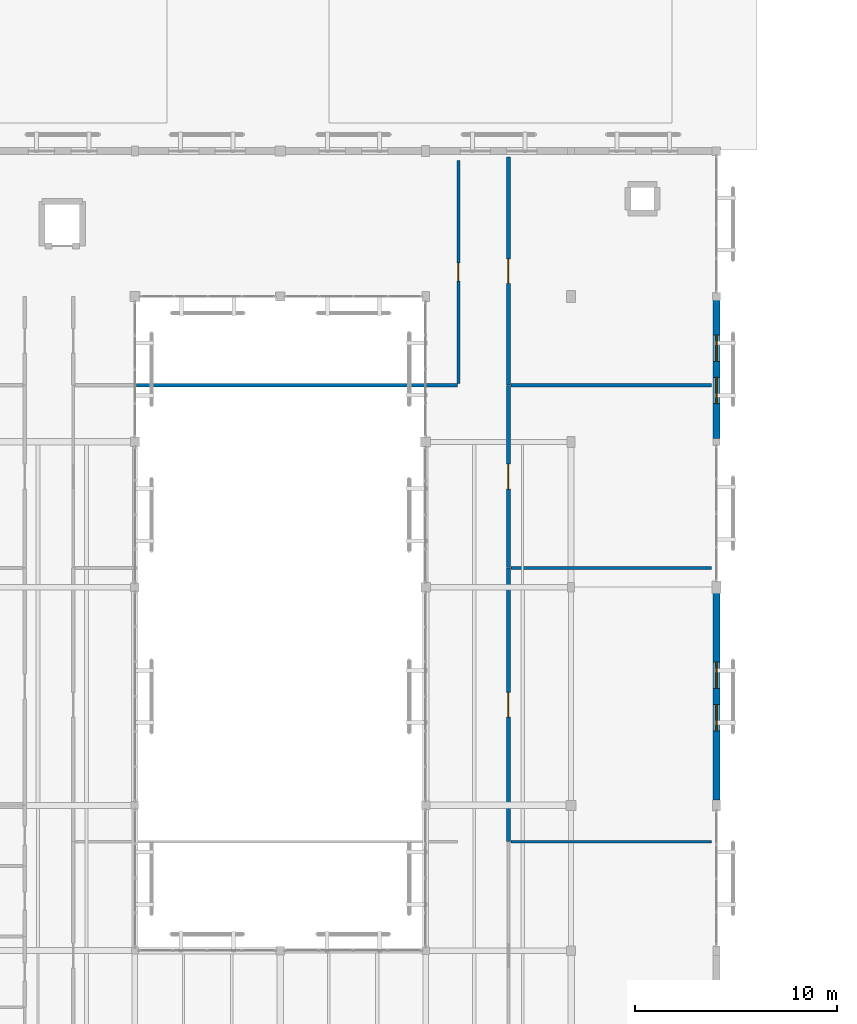
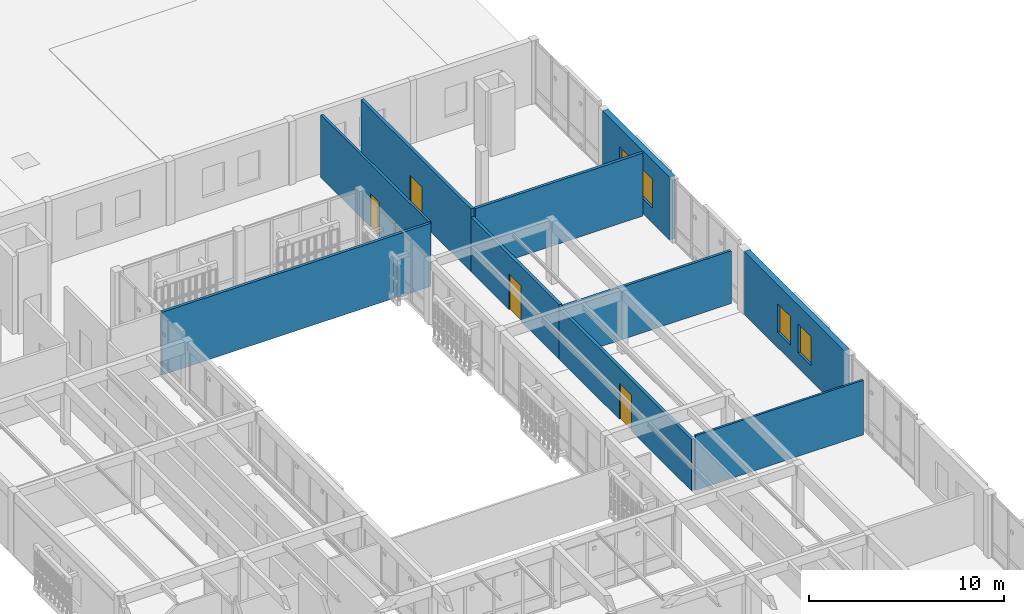
# One storey, part 48 of 61: 10 walls, 4 doors, 4 windows, 8 openings.
"""IFC4 building model written with IfcOpenShell, lengths in metres."""

from ifc_helpers import new_model, si_unit, direction, frame, frame_2d, origin, place, context, subcontext, project, spatial, rectangle, extrude, material, layer, layer_set, type_object, element, fill, save


model = new_model("IFC4")

# Units and contexts
model_context = context("Model", 3, precision=1e-05, world=origin(), true_north=direction((0.0, 1.0)))
body_context = subcontext(model_context, "Body", "Model", "MODEL_VIEW")
ifc_project = project(units=[si_unit("LENGTHUNIT", "METRE"), si_unit("AREAUNIT", "SQUARE_METRE"), si_unit("VOLUMEUNIT", "CUBIC_METRE"), si_unit("PLANEANGLEUNIT", "RADIAN"), si_unit("MASSUNIT", "GRAM", prefix="KILO")], contexts=[model_context])

# Site, building, storey
site_placement = place(None, origin())
site = spatial("IfcSite", under=ifc_project, at=site_placement, CompositionType="ELEMENT")
building_placement = place(site_placement, origin())
building = spatial("IfcBuilding", under=site, at=building_placement, Name="Mazaris Harbour Polytechnic", CompositionType="ELEMENT")
storey_placement = place(building_placement, frame((0.0, 0.0, 18.0)))
storey = spatial("IfcBuildingStorey", under=building, at=storey_placement, Name="L04", CompositionType="ELEMENT", Elevation=18.0)

# Walls
ifc_material_1 = material(Name="Gypsum Board and Mineral Wool")
ifc_layer_1 = layer(ifc_material_1, 0.1201171875, Name="Gypsum Board and Mineral Wool")
ifc_layer_set_1 = layer_set([ifc_layer_1], Name="Gypsum Board and Mineral Wool")
wall_type_1 = type_object("IfcWallType", Name="Acoustic Stud Partition 120", PredefinedType="PARTITIONING", material=ifc_layer_set_1)
wall_1_placement = place(storey_placement, frame((33.02001953125, 41.39990234375, 0.0), z_axis=(0.0, 0.0, 1.0), x_axis=(1.0, 0.0, 0.0)))
element("IfcWall", 1, at=wall_1_placement, inside=storey, type_object=wall_type_1, Name="V4 L04 Partition 473", PredefinedType="PARTITIONING", context=body_context, shape_type="SweptSolid", body=[
    extrude(rectangle(XDim=9.929931640625, YDim=0.1201171875, at=frame_2d((4.96484375, 0.0))), origin(), (0.0, 0.0, 1.0), 3.4150390625),
])
ifc_material_2 = material(Name="Double Gypsum and Mineral Wool")
ifc_layer_2 = layer(ifc_material_2, 0.14990234375, Name="Double Gypsum and Mineral Wool")
ifc_layer_set_2 = layer_set([ifc_layer_2], Name="Double Gypsum and Mineral Wool")
wall_type_2 = type_object("IfcWallType", Name="Classroom Acoustic Partition 150", PredefinedType="PARTITIONING", material=ifc_layer_set_2)
wall_2_placement = place(storey_placement, frame((33.02001953125, 54.9599609375, 0.0), z_axis=(0.0, 0.0, 1.0), x_axis=(1.0, 0.0, 0.0)))
element("IfcWall", 2, at=wall_2_placement, inside=storey, type_object=wall_type_2, Name="V4 L04 Partition 475", PredefinedType="PARTITIONING", context=body_context, shape_type="SweptSolid", body=[
    extrude(rectangle(XDim=9.929931640625, YDim=0.14990234375, at=frame_2d((4.96484375, 0.0))), origin(), (0.0, 0.0, 1.0), 3.294921875),
])

# Wall, opening, door
ifc_material_3 = material(Name="Terracotta Block and Plaster", Category="masonry")
ifc_layer_3 = layer(ifc_material_3, 0.179931640625, Name="Terracotta Block and Plaster")
ifc_layer_set_3 = layer_set([ifc_layer_3], Name="Terracotta Block and Plaster")
wall_type_3 = type_object("IfcWallType", Name="Corridor Fire Partition 180", PredefinedType="PARTITIONING", material=ifc_layer_set_3)
wall_3_placement = place(storey_placement, frame((32.89990234375, 41.405029296875, 0.0), z_axis=(0.0, 0.0, 1.0), x_axis=(0.0, 1.0, 0.0)))
wall_3 = element("IfcWall", 3, at=wall_3_placement, inside=storey, type_object=wall_type_3, Name="V4 L04 Partition 474", PredefinedType="PARTITIONING", context=body_context, shape_type="SweptSolid", body=[
    extrude(rectangle(XDim=13.554931640625, YDim=0.179931640625, at=frame_2d((6.77734375, 0.0))), origin(), (0.0, 0.0, 1.0), 3.195068359375),
])
opening_1_placement = place(wall_3_placement, frame((6.16748046875, 0.0, 0.0)))
opening_1 = element("IfcOpeningElement", 4, at=opening_1_placement, cuts=wall_3, Name="Opening ID-10L", PredefinedType="OPENING", context=body_context, shape_type="SweptSolid", body=[
    extrude(rectangle(XDim=1.219970703125, YDim=2.25, at=frame_2d((0.60986328125, 1.125))), frame((0.0, 0.099853515625, 0.0), z_axis=(0.0, -1.0, 0.0), x_axis=(1.0, 0.0, 0.0)), (0.0, 0.0, 1.0), 0.199951171875),
])
ifc_material_4 = material(Name="Glulam Timber and Glass", Category="wood")
door_type_1 = type_object("IfcDoorType", Name="Library Commons Door LH 1220x2250", OperationType="SINGLE_SWING_LEFT", PredefinedType="DOOR", material=ifc_material_4)
door_1_placement = place(opening_1_placement, origin())
door_1 = element("IfcDoor", 5, at=door_1_placement, inside=storey, type_object=door_type_1, Name="ID-0225", OperationType="SINGLE_SWING_LEFT", OverallHeight=2.25, OverallWidth=1.219970703125, PredefinedType="DOOR", context=body_context, shape_type="SweptSolid", body=[
    extrude(rectangle(XDim=1.219970703125, YDim=2.25, at=frame_2d((0.60986328125, 1.125))), frame((0.0, 0.02490234375, 0.0), z_axis=(0.0, -1.0, 0.0), x_axis=(1.0, 0.0, 0.0)), (0.0, 0.0, 1.0), 0.050048828125),
])
fill(opening_1, door_1)

wall_4_placement = place(storey_placement, frame((32.89990234375, 54.965087890625, 0.0), z_axis=(0.0, 0.0, 1.0), x_axis=(0.0, 1.0, 0.0)))
wall_4 = element("IfcWall", 6, at=wall_4_placement, inside=storey, type_object=wall_type_3, Name="V4 L04 Partition 476", PredefinedType="PARTITIONING", context=body_context, shape_type="SweptSolid", body=[
    extrude(rectangle(XDim=9.034912109375, YDim=0.179931640625, at=frame_2d((4.517578125, 0.0))), origin(), (0.0, 0.0, 1.0), 3.4150390625),
])
opening_2_placement = place(wall_4_placement, frame((3.8974609375, 0.0, 0.0)))
opening_2 = element("IfcOpeningElement", 7, at=opening_2_placement, cuts=wall_4, Name="Opening ID-10R", PredefinedType="OPENING", context=body_context, shape_type="SweptSolid", body=[
    extrude(rectangle(XDim=1.239990234375, YDim=2.25, at=frame_2d((0.6201171875, 1.125))), frame((0.0, 0.099853515625, 0.0), z_axis=(0.0, -1.0, 0.0), x_axis=(1.0, 0.0, 0.0)), (0.0, 0.0, 1.0), 0.199951171875),
])
ifc_material_5 = material(Name="Glulam Timber and Glass", Category="wood")
door_type_2 = type_object("IfcDoorType", Name="Library Commons Door RH 1240x2250", OperationType="SINGLE_SWING_RIGHT", PredefinedType="DOOR", material=ifc_material_5)
door_2_placement = place(opening_2_placement, origin())
door_2 = element("IfcDoor", 8, at=door_2_placement, inside=storey, type_object=door_type_2, Name="ID-0226", OperationType="SINGLE_SWING_RIGHT", OverallHeight=2.25, OverallWidth=1.239990234375, PredefinedType="DOOR", context=body_context, shape_type="SweptSolid", body=[
    extrude(rectangle(XDim=1.239990234375, YDim=2.25, at=frame_2d((0.6201171875, 1.125))), frame((0.0, 0.02490234375, 0.0), z_axis=(0.0, -1.0, 0.0), x_axis=(1.0, 0.0, 0.0)), (0.0, 0.0, 1.0), 0.050048828125),
])
fill(opening_2, door_2)

wall_5_placement = place(storey_placement, frame((32.89990234375, 64.0048828125, 0.0), z_axis=(0.0, 0.0, 1.0), x_axis=(0.0, 1.0, 0.0)))
wall_5 = element("IfcWall", 9, at=wall_5_placement, inside=storey, type_object=wall_type_3, Name="V4 L04 Partition 478", PredefinedType="PARTITIONING", context=body_context, shape_type="SweptSolid", body=[
    extrude(rectangle(XDim=11.295166015625, YDim=0.179931640625, at=frame_2d((5.6474609375, 0.0))), origin(), (0.0, 0.0, 1.0), 3.93505859375),
])
opening_3_placement = place(wall_5_placement, frame((5.03759765625, 0.0, 0.0)))
opening_3 = element("IfcOpeningElement", 10, at=opening_3_placement, cuts=wall_5, Name="Opening ID-10L", PredefinedType="OPENING", context=body_context, shape_type="SweptSolid", body=[
    extrude(rectangle(XDim=1.219970703125, YDim=2.25, at=frame_2d((0.60986328125, 1.125))), frame((0.0, 0.099853515625, 0.0), z_axis=(0.0, -1.0, 0.0), x_axis=(1.0, 0.0, 0.0)), (0.0, 0.0, 1.0), 0.199951171875),
])
door_3_placement = place(opening_3_placement, origin())
door_3 = element("IfcDoor", 11, at=door_3_placement, inside=storey, type_object=door_type_1, Name="ID-0227", OperationType="SINGLE_SWING_LEFT", OverallHeight=2.25, OverallWidth=1.219970703125, PredefinedType="DOOR", context=body_context, shape_type="SweptSolid", body=[
    extrude(rectangle(XDim=1.219970703125, YDim=2.25, at=frame_2d((0.60986328125, 1.125))), frame((0.0, 0.02490234375, 0.0), z_axis=(0.0, -1.0, 0.0), x_axis=(1.0, 0.0, 0.0)), (0.0, 0.0, 1.0), 0.050048828125),
])
fill(opening_3, door_3)

# Walls
ifc_material_6 = material(Name="Fireboard and Mineral Wool")
ifc_layer_4 = layer(ifc_material_6, 0.1650390625, Name="Fireboard and Mineral Wool")
ifc_layer_set_4 = layer_set([ifc_layer_4], Name="Fireboard and Mineral Wool")
wall_type_4 = type_object("IfcWallType", Name="Laboratory Rated Partition 165", PredefinedType="PARTITIONING", material=ifc_layer_set_4)
wall_6_placement = place(storey_placement, frame((14.485107421875, 64.0, 0.0), z_axis=(0.0, 0.0, 1.0), x_axis=(1.0, 0.0, 0.0)))
element("IfcWall", 12, at=wall_6_placement, inside=storey, type_object=wall_type_4, Name="V4 L04 Partition 467", PredefinedType="PARTITIONING", context=body_context, shape_type="SweptSolid", body=[
    extrude(rectangle(XDim=15.894775390625, YDim=0.1650390625, at=frame_2d((7.947265625, 0.0))), origin(), (0.0, 0.0, 1.0), 3.93505859375),
])
wall_7_placement = place(storey_placement, frame((33.02001953125, 64.0, 0.0), z_axis=(0.0, 0.0, 1.0), x_axis=(1.0, 0.0, 0.0)))
element("IfcWall", 13, at=wall_7_placement, inside=storey, type_object=wall_type_4, Name="V4 L04 Partition 477", PredefinedType="PARTITIONING", context=body_context, shape_type="SweptSolid", body=[
    extrude(rectangle(XDim=9.929931640625, YDim=0.1650390625, at=frame_2d((4.96484375, 0.0))), origin(), (0.0, 0.0, 1.0), 3.93505859375),
])

# Wall, openings, windows
ifc_material_7 = material(Name="Algerian Buff Limestone and Mineral Wool", Category="masonry")
ifc_layer_5 = layer(ifc_material_7, 0.330078125, Name="Algerian Buff Limestone and Mineral Wool")
ifc_layer_set_5 = layer_set([ifc_layer_5], Name="Algerian Buff Limestone and Mineral Wool")
wall_type_5 = type_object("IfcWallType", Name="Limestone Cavity Wall 330", PredefinedType="STANDARD", material=ifc_layer_set_5)
wall_8_placement = place(storey_placement, frame((43.199951171875, 53.7080078125, 0.0), z_axis=(0.0, 0.0, 1.0), x_axis=(0.0, -1.0, 0.0)))
wall_8 = element("IfcWall", 14, at=wall_8_placement, inside=storey, type_object=wall_type_5, Name="V4 L04 Exterior Wall 269", PredefinedType="STANDARD", context=body_context, shape_type="SweptSolid", body=[
    extrude(rectangle(XDim=10.24609375, YDim=0.330078125, at=frame_2d((5.123046875, 0.0))), origin(), (0.0, 0.0, 1.0), 3.93505859375),
])
opening_4_placement = place(wall_8_placement, frame((3.423095703125, 0.0, 0.949951171875)))
opening_4 = element("IfcOpeningElement", 15, at=opening_4_placement, cuts=wall_8, Name="Opening WN-13", PredefinedType="OPENING", context=body_context, shape_type="SweptSolid", body=[
    extrude(rectangle(XDim=1.300048828125, YDim=1.800048828125, at=frame_2d((0.64990234375, 0.89990234375))), frame((0.0, 0.175048828125, 0.0), z_axis=(0.0, -1.0, 0.0), x_axis=(1.0, 0.0, 0.0)), (0.0, 0.0, 1.0), 0.35009765625),
])
opening_5_placement = place(wall_8_placement, frame((5.52294921875, 0.0, 0.949951171875)))
opening_5 = element("IfcOpeningElement", 16, at=opening_5_placement, cuts=wall_8, Name="Opening WN-13", PredefinedType="OPENING", context=body_context, shape_type="SweptSolid", body=[
    extrude(rectangle(XDim=1.300048828125, YDim=1.800048828125, at=frame_2d((0.64990234375, 0.89990234375))), frame((0.0, 0.175048828125, 0.0), z_axis=(0.0, -1.0, 0.0), x_axis=(1.0, 0.0, 0.0)), (0.0, 0.0, 1.0), 0.35009765625),
])
ifc_material_8 = material(Name="Thermally Broken Bronze Aluminium and Low-E Glass", Category="aluminium")
window_type = type_object("IfcWindowType", Name="Attic Deep-Reveal Window 1300x1800", PartitioningType="DOUBLE_PANEL_VERTICAL", PredefinedType="WINDOW", material=ifc_material_8)
window_1_placement = place(opening_4_placement, origin())
window_1 = element("IfcWindow", 17, at=window_1_placement, inside=storey, type_object=window_type, Name="WN-0308", OverallHeight=1.800048828125, OverallWidth=1.300048828125, PartitioningType="DOUBLE_PANEL_VERTICAL", PredefinedType="WINDOW", context=body_context, shape_type="SweptSolid", body=[
    extrude(rectangle(XDim=1.300048828125, YDim=1.800048828125, at=frame_2d((0.64990234375, 0.89990234375))), frame((0.0, 0.030029296875, 0.0), z_axis=(0.0, -1.0, 0.0), x_axis=(1.0, 0.0, 0.0)), (0.0, 0.0, 1.0), 0.06005859375),
])
fill(opening_4, window_1)
window_2_placement = place(opening_5_placement, origin())
window_2 = element("IfcWindow", 18, at=window_2_placement, inside=storey, type_object=window_type, Name="WN-0309", OverallHeight=1.800048828125, OverallWidth=1.300048828125, PartitioningType="DOUBLE_PANEL_VERTICAL", PredefinedType="WINDOW", context=body_context, shape_type="SweptSolid", body=[
    extrude(rectangle(XDim=1.300048828125, YDim=1.800048828125, at=frame_2d((0.64990234375, 0.89990234375))), frame((0.0, 0.030029296875, 0.0), z_axis=(0.0, -1.0, 0.0), x_axis=(1.0, 0.0, 0.0)), (0.0, 0.0, 1.0), 0.06005859375),
])
fill(opening_5, window_2)

wall_9_placement = place(storey_placement, frame((43.199951171875, 68.218017578125, 0.0), z_axis=(0.0, 0.0, 1.0), x_axis=(0.0, -1.0, 0.0)))
wall_9 = element("IfcWall", 19, at=wall_9_placement, inside=storey, type_object=wall_type_5, Name="V4 L04 Exterior Wall 270", PredefinedType="STANDARD", context=body_context, shape_type="SweptSolid", body=[
    extrude(rectangle(XDim=6.85595703125, YDim=0.330078125, at=frame_2d((3.427978515625, 0.0))), origin(), (0.0, 0.0, 1.0), 3.93505859375),
])
opening_6_placement = place(wall_9_placement, frame((1.72802734375, 0.0, 0.949951171875)))
opening_6 = element("IfcOpeningElement", 20, at=opening_6_placement, cuts=wall_9, Name="Opening WN-13", PredefinedType="OPENING", context=body_context, shape_type="SweptSolid", body=[
    extrude(rectangle(XDim=1.300048828125, YDim=1.800048828125, at=frame_2d((0.64990234375, 0.89990234375))), frame((0.0, 0.175048828125, 0.0), z_axis=(0.0, -1.0, 0.0), x_axis=(1.0, 0.0, 0.0)), (0.0, 0.0, 1.0), 0.35009765625),
])
opening_7_placement = place(wall_9_placement, frame((3.827880859375, 0.0, 0.949951171875)))
opening_7 = element("IfcOpeningElement", 21, at=opening_7_placement, cuts=wall_9, Name="Opening WN-13", PredefinedType="OPENING", context=body_context, shape_type="SweptSolid", body=[
    extrude(rectangle(XDim=1.300048828125, YDim=1.800048828125, at=frame_2d((0.64990234375, 0.89990234375))), frame((0.0, 0.175048828125, 0.0), z_axis=(0.0, -1.0, 0.0), x_axis=(1.0, 0.0, 0.0)), (0.0, 0.0, 1.0), 0.35009765625),
])
window_3_placement = place(opening_6_placement, origin())
window_3 = element("IfcWindow", 22, at=window_3_placement, inside=storey, type_object=window_type, Name="WN-0310", OverallHeight=1.800048828125, OverallWidth=1.300048828125, PartitioningType="DOUBLE_PANEL_VERTICAL", PredefinedType="WINDOW", context=body_context, shape_type="SweptSolid", body=[
    extrude(rectangle(XDim=1.300048828125, YDim=1.800048828125, at=frame_2d((0.64990234375, 0.89990234375))), frame((0.0, 0.030029296875, 0.0), z_axis=(0.0, -1.0, 0.0), x_axis=(1.0, 0.0, 0.0)), (0.0, 0.0, 1.0), 0.06005859375),
])
fill(opening_6, window_3)
window_4_placement = place(opening_7_placement, origin())
window_4 = element("IfcWindow", 23, at=window_4_placement, inside=storey, type_object=window_type, Name="WN-0311", OverallHeight=1.800048828125, OverallWidth=1.300048828125, PartitioningType="DOUBLE_PANEL_VERTICAL", PredefinedType="WINDOW", context=body_context, shape_type="SweptSolid", body=[
    extrude(rectangle(XDim=1.300048828125, YDim=1.800048828125, at=frame_2d((0.64990234375, 0.89990234375))), frame((0.0, 0.030029296875, 0.0), z_axis=(0.0, -1.0, 0.0), x_axis=(1.0, 0.0, 0.0)), (0.0, 0.0, 1.0), 0.06005859375),
])
fill(opening_7, window_4)

# Wall, opening, door
ifc_material_9 = material(Name="Moisture-Resistant Gypsum and Steel Stud", Category="steel")
ifc_layer_6 = layer(ifc_material_9, 0.14501953125, Name="Moisture-Resistant Gypsum and Steel Stud")
ifc_layer_set_6 = layer_set([ifc_layer_6], Name="Moisture-Resistant Gypsum and Steel Stud")
wall_type_6 = type_object("IfcWallType", Name="Sanitary Plumbing Wall 145", PredefinedType="PLUMBINGWALL", material=ifc_layer_set_6)
wall_10_placement = place(storey_placement, frame((30.419921875, 75.140380859375, 0.0), z_axis=(0.0, 0.0, 1.0), x_axis=(0.0, -1.0, 0.0)))
wall_10 = element("IfcWall", 24, at=wall_10_placement, inside=storey, type_object=wall_type_6, Name="V4 L04 Partition 692", PredefinedType="PLUMBINGWALL", context=body_context, shape_type="SweptSolid", body=[
    extrude(rectangle(XDim=11.060302734375, YDim=0.14501953125, at=frame_2d((5.5302734375, 0.0))), origin(), (0.0, 0.0, 1.0), 3.93505859375),
])
opening_8_placement = place(wall_10_placement, frame((5.080078125, 0.0, 0.0)))
opening_8 = element("IfcOpeningElement", 25, at=opening_8_placement, cuts=wall_10, Name="Opening ID-07R", PredefinedType="OPENING", context=body_context, shape_type="SweptSolid", body=[
    extrude(rectangle(XDim=0.89990234375, YDim=2.10009765625, at=frame_2d((0.449951171875, 1.050048828125))), frame((0.0, 0.08251953125, 0.0), z_axis=(0.0, -1.0, 0.0), x_axis=(1.0, 0.0, 0.0)), (0.0, 0.0, 1.0), 0.1650390625),
])
ifc_material_10 = material(Name="Moisture-Resistant Laminate Timber", Category="wood")
door_type_3 = type_object("IfcDoorType", Name="Sanitary Room Door RH 900x2100", OperationType="SINGLE_SWING_RIGHT", PredefinedType="DOOR", material=ifc_material_10)
door_4_placement = place(opening_8_placement, origin())
door_4 = element("IfcDoor", 26, at=door_4_placement, inside=storey, type_object=door_type_3, Name="ID-0337", OperationType="SINGLE_SWING_RIGHT", OverallHeight=2.10009765625, OverallWidth=0.89990234375, PredefinedType="DOOR", context=body_context, shape_type="SweptSolid", body=[
    extrude(rectangle(XDim=0.89990234375, YDim=2.10009765625, at=frame_2d((0.449951171875, 1.050048828125))), frame((0.0, 0.02490234375, 0.0), z_axis=(0.0, -1.0, 0.0), x_axis=(1.0, 0.0, 0.0)), (0.0, 0.0, 1.0), 0.050048828125),
])
fill(opening_8, door_4)

save(model, "model.ifc")
